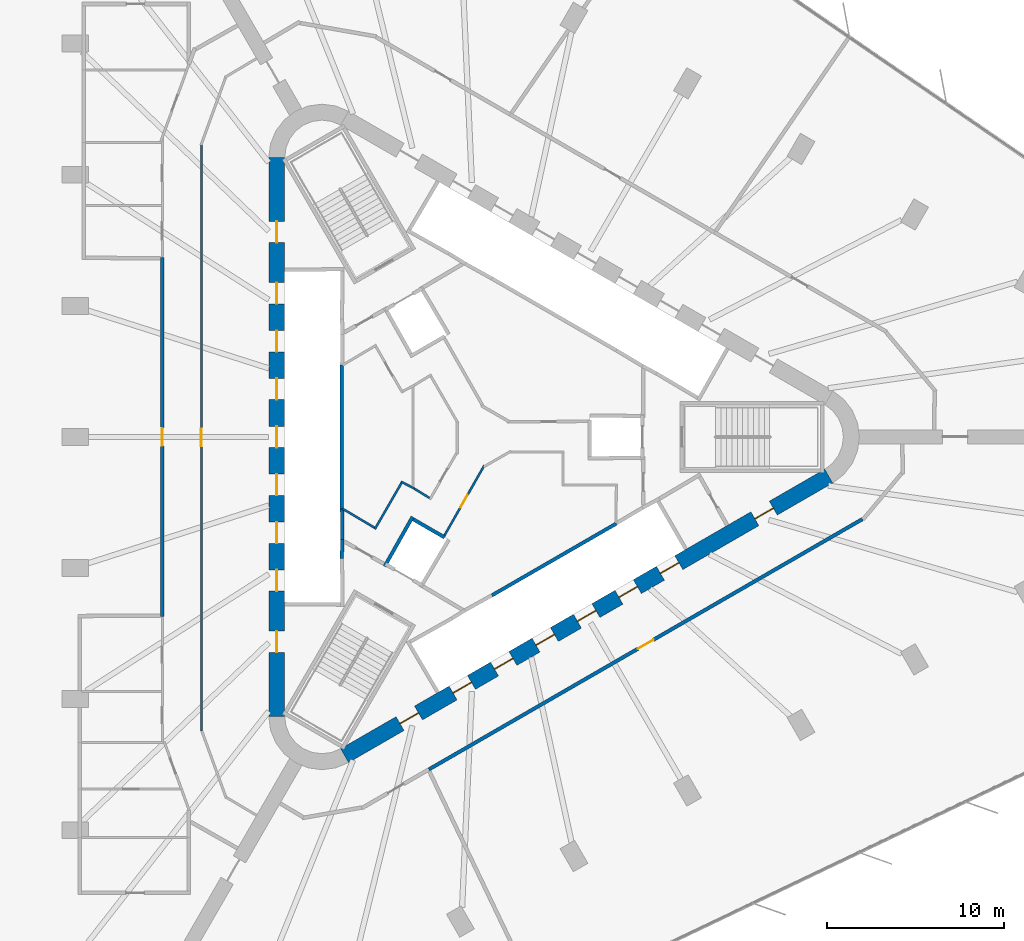
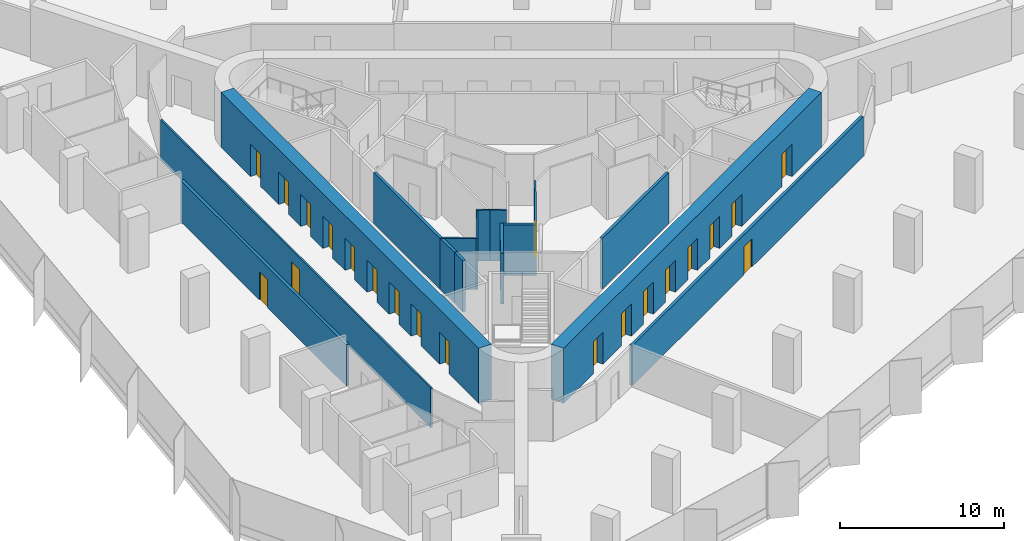
# One storey, part 10 of 15: 21 doors, 16 walls, 21 openings.
"""IFC4 building model written with IfcOpenShell, lengths in metres."""

from ifc_helpers import new_model, si_unit, direction, frame, frame_2d, origin, place, context, subcontext, project, spatial, rectangle, extrude, material, layer, layer_set, type_object, element, fill, save


model = new_model("IFC4")

# Units and contexts
model_context = context("Model", 3, precision=1e-05, world=origin(), true_north=direction((0.0, 1.0)))
body_context = subcontext(model_context, "Body", "Model", "MODEL_VIEW")
ifc_project = project(units=[si_unit("LENGTHUNIT", "METRE"), si_unit("AREAUNIT", "SQUARE_METRE"), si_unit("VOLUMEUNIT", "CUBIC_METRE"), si_unit("PLANEANGLEUNIT", "RADIAN"), si_unit("MASSUNIT", "GRAM", prefix="KILO")], contexts=[model_context])

# Site, building, storey
site_placement = place(None, origin())
site = spatial("IfcSite", under=ifc_project, at=site_placement, CompositionType="ELEMENT")
building_placement = place(site_placement, origin())
building = spatial("IfcBuilding", under=site, at=building_placement, Name="Tanit Gate Tower", CompositionType="ELEMENT")
storey_placement = place(building_placement, frame((0.0, 0.0, 94.699951171875)))
storey = spatial("IfcBuildingStorey", under=building, at=storey_placement, Name="L19", CompositionType="ELEMENT", Elevation=94.699951171875)

# Wall, openings, doors
ifc_material_1 = material(Name="Concrete C60/75", Category="concrete")
ifc_layer_1 = layer(ifc_material_1, 0.89990234375)
ifc_layer_set_1 = layer_set([ifc_layer_1], Name="CORE WALL 900 C60/75")
wall_type_1 = type_object("IfcWallType", Name="CORE WALL 900 C60/75", PredefinedType="SHEAR", material=ifc_layer_set_1)
wall_1_placement = place(storey_placement, frame((-11.64990234375, 15.76171875, 0.0), z_axis=(0.0, 0.0, 1.0), x_axis=(0.0, -1.0, 0.0)))
wall_1 = element("IfcWall", 1, at=wall_1_placement, inside=storey, type_object=wall_type_1, Name="CORE WALL", PredefinedType="SHEAR", context=body_context, shape_type="SweptSolid", body=[
    extrude(rectangle(XDim=31.5234375, YDim=0.89990234375, at=frame_2d((15.76171875, 0.0))), origin(), (0.0, 0.0, 1.0), 4.10009765625),
])
opening_1_placement = place(wall_1_placement, frame((7.061767578125, 0.0, 0.0)))
opening_1 = element("IfcOpeningElement", 2, at=opening_1_placement, cuts=wall_1, Name="Opening LDLL1-S04", PredefinedType="OPENING", context=body_context, shape_type="SweptSolid", body=[
    extrude(rectangle(XDim=1.199951171875, YDim=2.39990234375, at=frame_2d((0.60009765625, 1.199951171875))), frame((0.0, 0.4599609375, 0.0), z_axis=(0.0, -1.0, 0.0), x_axis=(1.0, 0.0, 0.0)), (0.0, 0.0, 1.0), 0.919921875),
])
opening_2_placement = place(wall_1_placement, frame((9.76171875, 0.0, 0.0)))
opening_2 = element("IfcOpeningElement", 3, at=opening_2_placement, cuts=wall_1, Name="Opening LDLL2-S04", PredefinedType="OPENING", context=body_context, shape_type="SweptSolid", body=[
    extrude(rectangle(XDim=1.199951171875, YDim=2.39990234375, at=frame_2d((0.60009765625, 1.199951171875))), frame((0.0, 0.4599609375, 0.0), z_axis=(0.0, -1.0, 0.0), x_axis=(1.0, 0.0, 0.0)), (0.0, 0.0, 1.0), 0.919921875),
])
opening_3_placement = place(wall_1_placement, frame((12.461669921875, 0.0, 0.0)))
opening_3 = element("IfcOpeningElement", 4, at=opening_3_placement, cuts=wall_1, Name="Opening LDLL3-S04", PredefinedType="OPENING", context=body_context, shape_type="SweptSolid", body=[
    extrude(rectangle(XDim=1.199951171875, YDim=2.39990234375, at=frame_2d((0.60009765625, 1.199951171875))), frame((0.0, 0.4599609375, 0.0), z_axis=(0.0, -1.0, 0.0), x_axis=(1.0, 0.0, 0.0)), (0.0, 0.0, 1.0), 0.919921875),
])
opening_4_placement = place(wall_1_placement, frame((15.16162109375, 0.0, 0.0)))
opening_4 = element("IfcOpeningElement", 5, at=opening_4_placement, cuts=wall_1, Name="Opening LDLL4-S04", PredefinedType="OPENING", context=body_context, shape_type="SweptSolid", body=[
    extrude(rectangle(XDim=1.199951171875, YDim=2.39990234375, at=frame_2d((0.60009765625, 1.199951171875))), frame((0.0, 0.4599609375, 0.0), z_axis=(0.0, -1.0, 0.0), x_axis=(1.0, 0.0, 0.0)), (0.0, 0.0, 1.0), 0.919921875),
])
opening_5_placement = place(wall_1_placement, frame((17.86181640625, 0.0, 0.0)))
opening_5 = element("IfcOpeningElement", 6, at=opening_5_placement, cuts=wall_1, Name="Opening LDLL5-S04", PredefinedType="OPENING", context=body_context, shape_type="SweptSolid", body=[
    extrude(rectangle(XDim=1.199951171875, YDim=2.39990234375, at=frame_2d((0.60009765625, 1.199951171875))), frame((0.0, 0.4599609375, 0.0), z_axis=(0.0, -1.0, 0.0), x_axis=(1.0, 0.0, 0.0)), (0.0, 0.0, 1.0), 0.919921875),
])
opening_6_placement = place(wall_1_placement, frame((20.561767578125, 0.0, 0.0)))
opening_6 = element("IfcOpeningElement", 7, at=opening_6_placement, cuts=wall_1, Name="Opening LDLL6-S04", PredefinedType="OPENING", context=body_context, shape_type="SweptSolid", body=[
    extrude(rectangle(XDim=1.199951171875, YDim=2.39990234375, at=frame_2d((0.60009765625, 1.199951171875))), frame((0.0, 0.4599609375, 0.0), z_axis=(0.0, -1.0, 0.0), x_axis=(1.0, 0.0, 0.0)), (0.0, 0.0, 1.0), 0.919921875),
])
opening_7_placement = place(wall_1_placement, frame((23.26171875, 0.0, 0.0)))
opening_7 = element("IfcOpeningElement", 8, at=opening_7_placement, cuts=wall_1, Name="Opening LDLL7-S04", PredefinedType="OPENING", context=body_context, shape_type="SweptSolid", body=[
    extrude(rectangle(XDim=1.199951171875, YDim=2.39990234375, at=frame_2d((0.60009765625, 1.199951171875))), frame((0.0, 0.4599609375, 0.0), z_axis=(0.0, -1.0, 0.0), x_axis=(1.0, 0.0, 0.0)), (0.0, 0.0, 1.0), 0.919921875),
])
opening_8_placement = place(wall_1_placement, frame((3.61181640625, 0.0, 0.0)))
opening_8 = element("IfcOpeningElement", 9, at=opening_8_placement, cuts=wall_1, Name="Opening F12-S04-FL2", PredefinedType="OPENING", context=body_context, shape_type="SweptSolid", body=[
    extrude(rectangle(XDim=1.199951171875, YDim=2.39990234375, at=frame_2d((0.60009765625, 1.199951171875))), frame((0.0, 0.4599609375, 0.0), z_axis=(0.0, -1.0, 0.0), x_axis=(1.0, 0.0, 0.0)), (0.0, 0.0, 1.0), 0.919921875),
])
opening_9_placement = place(wall_1_placement, frame((26.711669921875, 0.0, 0.0)))
opening_9 = element("IfcOpeningElement", 10, at=opening_9_placement, cuts=wall_1, Name="Opening F12-S04-S3", PredefinedType="OPENING", context=body_context, shape_type="SweptSolid", body=[
    extrude(rectangle(XDim=1.199951171875, YDim=2.39990234375, at=frame_2d((0.60009765625, 1.199951171875))), frame((0.0, 0.4599609375, 0.0), z_axis=(0.0, -1.0, 0.0), x_axis=(1.0, 0.0, 0.0)), (0.0, 0.0, 1.0), 0.919921875),
])
ifc_material_2 = material(Name="Fire-rated steel door leaf", Category="steel")
door_type_1 = type_object("IfcDoorType", Name="INT-DOOR-FIRE-LOBBY-1200", OperationType="NOTDEFINED", PredefinedType="USERDEFINED", material=ifc_material_2)
door_1_placement = place(opening_8_placement, origin())
door_1 = element("IfcDoor", 11, at=door_1_placement, inside=storey, type_object=door_type_1, Name="Door F12-S04-FL2", ObjectType="FIRE DOOR", OperationType="SINGLE_SWING_LEFT", OverallHeight=2.39990234375, OverallWidth=1.199951171875, PredefinedType="USERDEFINED", context=body_context, shape_type="SweptSolid", body=[
    extrude(rectangle(XDim=1.199951171875, YDim=2.39990234375, at=frame_2d((0.60009765625, 1.199951171875))), frame((0.0, 0.02490234375, 0.0), z_axis=(0.0, -1.0, 0.0), x_axis=(1.0, 0.0, 0.0)), (0.0, 0.0, 1.0), 0.050048828125),
])
fill(opening_8, door_1)
door_2_placement = place(opening_9_placement, origin())
door_2 = element("IfcDoor", 12, at=door_2_placement, inside=storey, type_object=door_type_1, Name="Door F12-S04-S3", ObjectType="FIRE DOOR", OperationType="SINGLE_SWING_RIGHT", OverallHeight=2.39990234375, OverallWidth=1.199951171875, PredefinedType="USERDEFINED", context=body_context, shape_type="SweptSolid", body=[
    extrude(rectangle(XDim=1.199951171875, YDim=2.39990234375, at=frame_2d((0.60009765625, 1.199951171875))), frame((0.0, 0.02490234375, 0.0), z_axis=(0.0, -1.0, 0.0), x_axis=(1.0, 0.0, 0.0)), (0.0, 0.0, 1.0), 0.050048828125),
])
fill(opening_9, door_2)
ifc_material_3 = material(Name="Stainless steel sliding door leaf", Category="steel")
door_type_2 = type_object("IfcDoorType", Name="INT-DOOR-LANDING-1200", OperationType="NOTDEFINED", PredefinedType="USERDEFINED", material=ifc_material_3)
door_3_placement = place(opening_1_placement, origin())
door_3 = element("IfcDoor", 13, at=door_3_placement, inside=storey, type_object=door_type_2, Name="Door LDLL1-S04", ObjectType="LANDING DOOR", OperationType="SLIDING_TO_LEFT", OverallHeight=2.39990234375, OverallWidth=1.199951171875, PredefinedType="USERDEFINED", context=body_context, shape_type="SweptSolid", body=[
    extrude(rectangle(XDim=1.199951171875, YDim=2.39990234375, at=frame_2d((0.60009765625, 1.199951171875))), frame((0.0, 0.02490234375, 0.0), z_axis=(0.0, -1.0, 0.0), x_axis=(1.0, 0.0, 0.0)), (0.0, 0.0, 1.0), 0.050048828125),
])
fill(opening_1, door_3)
door_4_placement = place(opening_2_placement, origin())
door_4 = element("IfcDoor", 14, at=door_4_placement, inside=storey, type_object=door_type_2, Name="Door LDLL2-S04", ObjectType="LANDING DOOR", OperationType="SLIDING_TO_LEFT", OverallHeight=2.39990234375, OverallWidth=1.199951171875, PredefinedType="USERDEFINED", context=body_context, shape_type="SweptSolid", body=[
    extrude(rectangle(XDim=1.199951171875, YDim=2.39990234375, at=frame_2d((0.60009765625, 1.199951171875))), frame((0.0, 0.02490234375, 0.0), z_axis=(0.0, -1.0, 0.0), x_axis=(1.0, 0.0, 0.0)), (0.0, 0.0, 1.0), 0.050048828125),
])
fill(opening_2, door_4)
door_5_placement = place(opening_3_placement, origin())
door_5 = element("IfcDoor", 15, at=door_5_placement, inside=storey, type_object=door_type_2, Name="Door LDLL3-S04", ObjectType="LANDING DOOR", OperationType="SLIDING_TO_LEFT", OverallHeight=2.39990234375, OverallWidth=1.199951171875, PredefinedType="USERDEFINED", context=body_context, shape_type="SweptSolid", body=[
    extrude(rectangle(XDim=1.199951171875, YDim=2.39990234375, at=frame_2d((0.60009765625, 1.199951171875))), frame((0.0, 0.02490234375, 0.0), z_axis=(0.0, -1.0, 0.0), x_axis=(1.0, 0.0, 0.0)), (0.0, 0.0, 1.0), 0.050048828125),
])
fill(opening_3, door_5)
door_6_placement = place(opening_4_placement, origin())
door_6 = element("IfcDoor", 16, at=door_6_placement, inside=storey, type_object=door_type_2, Name="Door LDLL4-S04", ObjectType="LANDING DOOR", OperationType="SLIDING_TO_LEFT", OverallHeight=2.39990234375, OverallWidth=1.199951171875, PredefinedType="USERDEFINED", context=body_context, shape_type="SweptSolid", body=[
    extrude(rectangle(XDim=1.199951171875, YDim=2.39990234375, at=frame_2d((0.60009765625, 1.199951171875))), frame((0.0, 0.02490234375, 0.0), z_axis=(0.0, -1.0, 0.0), x_axis=(1.0, 0.0, 0.0)), (0.0, 0.0, 1.0), 0.050048828125),
])
fill(opening_4, door_6)
door_7_placement = place(opening_5_placement, origin())
door_7 = element("IfcDoor", 17, at=door_7_placement, inside=storey, type_object=door_type_2, Name="Door LDLL5-S04", ObjectType="LANDING DOOR", OperationType="SLIDING_TO_LEFT", OverallHeight=2.39990234375, OverallWidth=1.199951171875, PredefinedType="USERDEFINED", context=body_context, shape_type="SweptSolid", body=[
    extrude(rectangle(XDim=1.199951171875, YDim=2.39990234375, at=frame_2d((0.60009765625, 1.199951171875))), frame((0.0, 0.02490234375, 0.0), z_axis=(0.0, -1.0, 0.0), x_axis=(1.0, 0.0, 0.0)), (0.0, 0.0, 1.0), 0.050048828125),
])
fill(opening_5, door_7)
door_8_placement = place(opening_6_placement, origin())
door_8 = element("IfcDoor", 18, at=door_8_placement, inside=storey, type_object=door_type_2, Name="Door LDLL6-S04", ObjectType="LANDING DOOR", OperationType="SLIDING_TO_LEFT", OverallHeight=2.39990234375, OverallWidth=1.199951171875, PredefinedType="USERDEFINED", context=body_context, shape_type="SweptSolid", body=[
    extrude(rectangle(XDim=1.199951171875, YDim=2.39990234375, at=frame_2d((0.60009765625, 1.199951171875))), frame((0.0, 0.02490234375, 0.0), z_axis=(0.0, -1.0, 0.0), x_axis=(1.0, 0.0, 0.0)), (0.0, 0.0, 1.0), 0.050048828125),
])
fill(opening_6, door_8)
door_9_placement = place(opening_7_placement, origin())
door_9 = element("IfcDoor", 19, at=door_9_placement, inside=storey, type_object=door_type_2, Name="Door LDLL7-S04", ObjectType="LANDING DOOR", OperationType="SLIDING_TO_LEFT", OverallHeight=2.39990234375, OverallWidth=1.199951171875, PredefinedType="USERDEFINED", context=body_context, shape_type="SweptSolid", body=[
    extrude(rectangle(XDim=1.199951171875, YDim=2.39990234375, at=frame_2d((0.60009765625, 1.199951171875))), frame((0.0, 0.02490234375, 0.0), z_axis=(0.0, -1.0, 0.0), x_axis=(1.0, 0.0, 0.0)), (0.0, 0.0, 1.0), 0.050048828125),
])
fill(opening_7, door_9)

wall_2_placement = place(storey_placement, frame((-7.824951171875, -17.969970703125, 0.0), z_axis=(0.0, 0.0, 1.0), x_axis=(0.866028369851, 0.499994862586, 0.0)))
wall_2 = element("IfcWall", 20, at=wall_2_placement, inside=storey, type_object=wall_type_1, Name="CORE WALL", PredefinedType="SHEAR", context=body_context, shape_type="SweptSolid", body=[
    extrude(rectangle(XDim=31.523193359375, YDim=0.89990234375, at=frame_2d((15.76171875, 0.0))), origin(), (0.0, 0.0, 1.0), 4.10009765625),
])
opening_10_placement = place(wall_2_placement, frame((7.061767578125, 0.0, 0.0)))
opening_10 = element("IfcOpeningElement", 21, at=opening_10_placement, cuts=wall_2, Name="Opening LDSX1-S04", PredefinedType="OPENING", context=body_context, shape_type="SweptSolid", body=[
    extrude(rectangle(XDim=1.199951171875, YDim=2.39990234375, at=frame_2d((0.60009765625, 1.199951171875))), frame((0.0, 0.4599609375, 0.0), z_axis=(0.0, -1.0, 0.0), x_axis=(1.0, 0.0, 0.0)), (0.0, 0.0, 1.0), 0.919921875),
])
opening_11_placement = place(wall_2_placement, frame((9.76171875, 0.0, 0.0)))
opening_11 = element("IfcOpeningElement", 22, at=opening_11_placement, cuts=wall_2, Name="Opening LDSX2-S04", PredefinedType="OPENING", context=body_context, shape_type="SweptSolid", body=[
    extrude(rectangle(XDim=1.199951171875, YDim=2.39990234375, at=frame_2d((0.60009765625, 1.199951171875))), frame((0.0, 0.4599609375, 0.0), z_axis=(0.0, -1.0, 0.0), x_axis=(1.0, 0.0, 0.0)), (0.0, 0.0, 1.0), 0.919921875),
])
opening_12_placement = place(wall_2_placement, frame((12.461669921875, 0.0, 0.0)))
opening_12 = element("IfcOpeningElement", 23, at=opening_12_placement, cuts=wall_2, Name="Opening LDSX3-S04", PredefinedType="OPENING", context=body_context, shape_type="SweptSolid", body=[
    extrude(rectangle(XDim=1.199951171875, YDim=2.39990234375, at=frame_2d((0.60009765625, 1.199951171875))), frame((0.0, 0.4599609375, 0.0), z_axis=(0.0, -1.0, 0.0), x_axis=(1.0, 0.0, 0.0)), (0.0, 0.0, 1.0), 0.919921875),
])
opening_13_placement = place(wall_2_placement, frame((15.16162109375, 0.0, 0.0)))
opening_13 = element("IfcOpeningElement", 24, at=opening_13_placement, cuts=wall_2, Name="Opening LDSX4-S04", PredefinedType="OPENING", context=body_context, shape_type="SweptSolid", body=[
    extrude(rectangle(XDim=1.199951171875, YDim=2.39990234375, at=frame_2d((0.60009765625, 1.199951171875))), frame((0.0, 0.4599609375, 0.0), z_axis=(0.0, -1.0, 0.0), x_axis=(1.0, 0.0, 0.0)), (0.0, 0.0, 1.0), 0.919921875),
])
opening_14_placement = place(wall_2_placement, frame((17.861572265625, 0.0, 0.0)))
opening_14 = element("IfcOpeningElement", 25, at=opening_14_placement, cuts=wall_2, Name="Opening LDSV1-S04", PredefinedType="OPENING", context=body_context, shape_type="SweptSolid", body=[
    extrude(rectangle(XDim=1.199951171875, YDim=2.39990234375, at=frame_2d((0.60009765625, 1.199951171875))), frame((0.0, 0.4599609375, 0.0), z_axis=(0.0, -1.0, 0.0), x_axis=(1.0, 0.0, 0.0)), (0.0, 0.0, 1.0), 0.919921875),
])
opening_15_placement = place(wall_2_placement, frame((20.561767578125, 0.0, 0.0)))
opening_15 = element("IfcOpeningElement", 26, at=opening_15_placement, cuts=wall_2, Name="Opening LDSV2-S04", PredefinedType="OPENING", context=body_context, shape_type="SweptSolid", body=[
    extrude(rectangle(XDim=1.199951171875, YDim=2.39990234375, at=frame_2d((0.60009765625, 1.199951171875))), frame((0.0, 0.4599609375, 0.0), z_axis=(0.0, -1.0, 0.0), x_axis=(1.0, 0.0, 0.0)), (0.0, 0.0, 1.0), 0.919921875),
])
opening_16_placement = place(wall_2_placement, frame((26.711669921875, 0.0, 0.0)))
opening_16 = element("IfcOpeningElement", 27, at=opening_16_placement, cuts=wall_2, Name="Opening F12-S04-S1", PredefinedType="OPENING", context=body_context, shape_type="SweptSolid", body=[
    extrude(rectangle(XDim=1.199951171875, YDim=2.39990234375, at=frame_2d((0.60009765625, 1.199951171875))), frame((0.0, 0.4599609375, 0.0), z_axis=(0.0, -1.0, 0.0), x_axis=(1.0, 0.0, 0.0)), (0.0, 0.0, 1.0), 0.919921875),
])
opening_17_placement = place(wall_2_placement, frame((3.611572265625, 0.0, 0.0)))
opening_17 = element("IfcOpeningElement", 28, at=opening_17_placement, cuts=wall_2, Name="Opening F12-S04-FL3", PredefinedType="OPENING", context=body_context, shape_type="SweptSolid", body=[
    extrude(rectangle(XDim=1.199951171875, YDim=2.39990234375, at=frame_2d((0.60009765625, 1.199951171875))), frame((0.0, 0.4599609375, 0.0), z_axis=(0.0, -1.0, 0.0), x_axis=(1.0, 0.0, 0.0)), (0.0, 0.0, 1.0), 0.919921875),
])
door_10_placement = place(opening_16_placement, origin())
door_10 = element("IfcDoor", 29, at=door_10_placement, inside=storey, type_object=door_type_1, Name="Door F12-S04-S1", ObjectType="FIRE DOOR", OperationType="SINGLE_SWING_LEFT", OverallHeight=2.39990234375, OverallWidth=1.199951171875, PredefinedType="USERDEFINED", context=body_context, shape_type="SweptSolid", body=[
    extrude(rectangle(XDim=1.199951171875, YDim=2.39990234375, at=frame_2d((0.60009765625, 1.199951171875))), frame((0.0, 0.02490234375, 0.0), z_axis=(0.0, -1.0, 0.0), x_axis=(1.0, 0.0, 0.0)), (0.0, 0.0, 1.0), 0.050048828125),
])
fill(opening_16, door_10)
door_11_placement = place(opening_17_placement, origin())
door_11 = element("IfcDoor", 30, at=door_11_placement, inside=storey, type_object=door_type_1, Name="Door F12-S04-FL3", ObjectType="FIRE DOOR", OperationType="SINGLE_SWING_LEFT", OverallHeight=2.39990234375, OverallWidth=1.199951171875, PredefinedType="USERDEFINED", context=body_context, shape_type="SweptSolid", body=[
    extrude(rectangle(XDim=1.199951171875, YDim=2.39990234375, at=frame_2d((0.60009765625, 1.199951171875))), frame((0.0, 0.02490234375, 0.0), z_axis=(0.0, -1.0, 0.0), x_axis=(1.0, 0.0, 0.0)), (0.0, 0.0, 1.0), 0.050048828125),
])
fill(opening_17, door_11)
door_12_placement = place(opening_10_placement, origin())
door_12 = element("IfcDoor", 31, at=door_12_placement, inside=storey, type_object=door_type_2, Name="Door LDSX1-S04", ObjectType="LANDING DOOR", OperationType="SLIDING_TO_LEFT", OverallHeight=2.39990234375, OverallWidth=1.199951171875, PredefinedType="USERDEFINED", context=body_context, shape_type="SweptSolid", body=[
    extrude(rectangle(XDim=1.199951171875, YDim=2.39990234375, at=frame_2d((0.60009765625, 1.199951171875))), frame((0.0, 0.02490234375, 0.0), z_axis=(0.0, -1.0, 0.0), x_axis=(1.0, 0.0, 0.0)), (0.0, 0.0, 1.0), 0.050048828125),
])
fill(opening_10, door_12)
door_13_placement = place(opening_11_placement, origin())
door_13 = element("IfcDoor", 32, at=door_13_placement, inside=storey, type_object=door_type_2, Name="Door LDSX2-S04", ObjectType="LANDING DOOR", OperationType="SLIDING_TO_LEFT", OverallHeight=2.39990234375, OverallWidth=1.199951171875, PredefinedType="USERDEFINED", context=body_context, shape_type="SweptSolid", body=[
    extrude(rectangle(XDim=1.199951171875, YDim=2.39990234375, at=frame_2d((0.60009765625, 1.199951171875))), frame((0.0, 0.02490234375, 0.0), z_axis=(0.0, -1.0, 0.0), x_axis=(1.0, 0.0, 0.0)), (0.0, 0.0, 1.0), 0.050048828125),
])
fill(opening_11, door_13)
door_14_placement = place(opening_12_placement, origin())
door_14 = element("IfcDoor", 33, at=door_14_placement, inside=storey, type_object=door_type_2, Name="Door LDSX3-S04", ObjectType="LANDING DOOR", OperationType="SLIDING_TO_LEFT", OverallHeight=2.39990234375, OverallWidth=1.199951171875, PredefinedType="USERDEFINED", context=body_context, shape_type="SweptSolid", body=[
    extrude(rectangle(XDim=1.199951171875, YDim=2.39990234375, at=frame_2d((0.60009765625, 1.199951171875))), frame((0.0, 0.02490234375, 0.0), z_axis=(0.0, -1.0, 0.0), x_axis=(1.0, 0.0, 0.0)), (0.0, 0.0, 1.0), 0.050048828125),
])
fill(opening_12, door_14)
door_15_placement = place(opening_13_placement, origin())
door_15 = element("IfcDoor", 34, at=door_15_placement, inside=storey, type_object=door_type_2, Name="Door LDSX4-S04", ObjectType="LANDING DOOR", OperationType="SLIDING_TO_LEFT", OverallHeight=2.39990234375, OverallWidth=1.199951171875, PredefinedType="USERDEFINED", context=body_context, shape_type="SweptSolid", body=[
    extrude(rectangle(XDim=1.199951171875, YDim=2.39990234375, at=frame_2d((0.60009765625, 1.199951171875))), frame((0.0, 0.02490234375, 0.0), z_axis=(0.0, -1.0, 0.0), x_axis=(1.0, 0.0, 0.0)), (0.0, 0.0, 1.0), 0.050048828125),
])
fill(opening_13, door_15)
door_16_placement = place(opening_14_placement, origin())
door_16 = element("IfcDoor", 35, at=door_16_placement, inside=storey, type_object=door_type_2, Name="Door LDSV1-S04", ObjectType="LANDING DOOR", OperationType="SLIDING_TO_LEFT", OverallHeight=2.39990234375, OverallWidth=1.199951171875, PredefinedType="USERDEFINED", context=body_context, shape_type="SweptSolid", body=[
    extrude(rectangle(XDim=1.199951171875, YDim=2.39990234375, at=frame_2d((0.60009765625, 1.199951171875))), frame((0.0, 0.02490234375, 0.0), z_axis=(0.0, -1.0, 0.0), x_axis=(1.0, 0.0, 0.0)), (0.0, 0.0, 1.0), 0.050048828125),
])
fill(opening_14, door_16)
door_17_placement = place(opening_15_placement, origin())
door_17 = element("IfcDoor", 36, at=door_17_placement, inside=storey, type_object=door_type_2, Name="Door LDSV2-S04", ObjectType="LANDING DOOR", OperationType="SLIDING_TO_LEFT", OverallHeight=2.39990234375, OverallWidth=1.199951171875, PredefinedType="USERDEFINED", context=body_context, shape_type="SweptSolid", body=[
    extrude(rectangle(XDim=1.199951171875, YDim=2.39990234375, at=frame_2d((0.60009765625, 1.199951171875))), frame((0.0, 0.02490234375, 0.0), z_axis=(0.0, -1.0, 0.0), x_axis=(1.0, 0.0, 0.0)), (0.0, 0.0, 1.0), 0.050048828125),
])
fill(opening_15, door_17)

# Wall, opening, door
ifc_material_4 = material(Name="Fire-rated gypsum board partition")
ifc_layer_2 = layer(ifc_material_4, 0.199951171875)
ifc_layer_set_2 = layer_set([ifc_layer_2], Name="INT-WALL-COMPARTMENT")
wall_type_2 = type_object("IfcWallType", Name="INT-WALL-COMPARTMENT", PredefinedType="PARTITIONING", material=ifc_layer_set_2)
wall_3_placement = place(storey_placement, frame((-18.10009765625, 10.1298828125, 0.0), z_axis=(0.0, 0.0, 1.0), x_axis=(0.0, -1.0, 0.0)))
wall_3 = element("IfcWall", 37, at=wall_3_placement, inside=storey, type_object=wall_type_2, Name="Wall Compartment W091", PredefinedType="PARTITIONING", context=body_context, shape_type="SweptSolid", body=[
    extrude(rectangle(XDim=20.259765625, YDim=0.199951171875, at=frame_2d((10.1298828125, 0.0))), origin(), (0.0, 0.0, 1.0), 3.080078125),
])
opening_18_placement = place(wall_3_placement, frame((9.6298828125, 0.0, 0.0)))
opening_18 = element("IfcOpeningElement", 38, at=opening_18_placement, cuts=wall_3, Name="Opening F10-S04-25", PredefinedType="OPENING", context=body_context, shape_type="SweptSolid", body=[
    extrude(rectangle(XDim=1.0, YDim=2.10009765625, at=frame_2d((0.5, 1.050048828125))), frame((0.0, 0.10986328125, 0.0), z_axis=(0.0, -1.0, 0.0), x_axis=(1.0, 0.0, 0.0)), (0.0, 0.0, 1.0), 0.219970703125),
])
ifc_material_5 = material(Name="Fire-rated steel door leaf", Category="steel")
door_type_3 = type_object("IfcDoorType", Name="INT-DOOR-FIRE-1000", OperationType="NOTDEFINED", PredefinedType="USERDEFINED", material=ifc_material_5)
door_18_placement = place(opening_18_placement, origin())
door_18 = element("IfcDoor", 39, at=door_18_placement, inside=storey, type_object=door_type_3, Name="Door F10-S04-25", ObjectType="FIRE DOOR", OperationType="SINGLE_SWING_LEFT", OverallHeight=2.10009765625, OverallWidth=1.0, PredefinedType="USERDEFINED", context=body_context, shape_type="SweptSolid", body=[
    extrude(rectangle(XDim=1.0, YDim=2.10009765625, at=frame_2d((0.5, 1.050048828125))), frame((0.0, 0.02490234375, 0.0), z_axis=(0.0, -1.0, 0.0), x_axis=(1.0, 0.0, 0.0)), (0.0, 0.0, 1.0), 0.050048828125),
])
fill(opening_18, door_18)

wall_4_placement = place(storey_placement, frame((-3.071533203125, -18.747314453125, 0.0), z_axis=(0.0, 0.0, 1.0), x_axis=(0.866027760718, 0.499995917648, 0.0)))
wall_4 = element("IfcWall", 40, at=wall_4_placement, inside=storey, type_object=wall_type_2, Name="Wall Compartment W112", PredefinedType="PARTITIONING", context=body_context, shape_type="SweptSolid", body=[
    extrude(rectangle(XDim=28.233154296875, YDim=0.199951171875, at=frame_2d((14.11669921875, 0.0))), origin(), (0.0, 0.0, 1.0), 2.97998046875),
])
opening_19_placement = place(wall_4_placement, frame((13.61669921875, 0.0, 0.0)))
opening_19 = element("IfcOpeningElement", 41, at=opening_19_placement, cuts=wall_4, Name="Opening F10-S04-29", PredefinedType="OPENING", context=body_context, shape_type="SweptSolid", body=[
    extrude(rectangle(XDim=1.0, YDim=2.10009765625, at=frame_2d((0.5, 1.050048828125))), frame((0.0, 0.10986328125, 0.0), z_axis=(0.0, -1.0, 0.0), x_axis=(1.0, 0.0, 0.0)), (0.0, 0.0, 1.0), 0.219970703125),
])
door_19_placement = place(opening_19_placement, origin())
door_19 = element("IfcDoor", 42, at=door_19_placement, inside=storey, type_object=door_type_3, Name="Door F10-S04-29", ObjectType="FIRE DOOR", OperationType="SINGLE_SWING_RIGHT", OverallHeight=2.10009765625, OverallWidth=1.0, PredefinedType="USERDEFINED", context=body_context, shape_type="SweptSolid", body=[
    extrude(rectangle(XDim=1.0, YDim=2.10009765625, at=frame_2d((0.5, 1.050048828125))), frame((0.0, 0.02490234375, 0.0), z_axis=(0.0, -1.0, 0.0), x_axis=(1.0, 0.0, 0.0)), (0.0, 0.0, 1.0), 0.050048828125),
])
fill(opening_19, door_19)

ifc_material_6 = material(Name="Gypsum board partition")
ifc_layer_3 = layer(ifc_material_6, 0.1201171875)
ifc_layer_set_3 = layer_set([ifc_layer_3], Name="INT-WALL-PARTITION")
wall_type_3 = type_object("IfcWallType", Name="INT-WALL-PARTITION", PredefinedType="PARTITIONING", material=ifc_layer_set_3)
wall_5_placement = place(storey_placement, frame((0.050537109375, -1.611083984375, 0.0), z_axis=(0.0, 0.0, 1.0), x_axis=(-0.49434454467, -0.869266053148, 0.0)))
wall_5 = element("IfcWall", 43, at=wall_5_placement, inside=storey, type_object=wall_type_3, Name="Wall Partition W068", PredefinedType="PARTITIONING", context=body_context, shape_type="SweptSolid", body=[
    extrude(rectangle(XDim=4.5302734375, YDim=0.1201171875, at=frame_2d((2.26513671875, 0.0))), origin(), (0.0, 0.0, 1.0), 3.800048828125),
])
opening_20_placement = place(wall_5_placement, frame((1.916259765625, 0.0, 0.0)))
opening_20 = element("IfcOpeningElement", 44, at=opening_20_placement, cuts=wall_5, Name="Opening R08-S04-11", PredefinedType="OPENING", context=body_context, shape_type="SweptSolid", body=[
    extrude(rectangle(XDim=0.800048828125, YDim=2.10009765625, at=frame_2d((0.39990234375, 1.050048828125))), frame((0.0, 0.070068359375, 0.0), z_axis=(0.0, -1.0, 0.0), x_axis=(1.0, 0.0, 0.0)), (0.0, 0.0, 1.0), 0.14013671875),
])
ifc_material_7 = material(Name="Timber door leaf", Category="wood")
door_type_4 = type_object("IfcDoorType", Name="INT-DOOR-RISER-800", OperationType="NOTDEFINED", PredefinedType="USERDEFINED", material=ifc_material_7)
door_20_placement = place(opening_20_placement, origin())
door_20 = element("IfcDoor", 45, at=door_20_placement, inside=storey, type_object=door_type_4, Name="Door R08-S04-11", ObjectType="FIRE DOOR", OperationType="SINGLE_SWING_RIGHT", OverallHeight=2.10009765625, OverallWidth=0.800048828125, PredefinedType="USERDEFINED", context=body_context, shape_type="SweptSolid", body=[
    extrude(rectangle(XDim=0.800048828125, YDim=2.10009765625, at=frame_2d((0.39990234375, 1.050048828125))), frame((0.0, 0.02490234375, 0.0), z_axis=(0.0, -1.0, 0.0), x_axis=(1.0, 0.0, 0.0)), (0.0, 0.0, 1.0), 0.050048828125),
])
fill(opening_20, door_20)

# Walls
wall_6_placement = place(storey_placement, frame((-4.641357421875, -2.519287109375, 0.0), z_axis=(0.0, 0.0, 1.0), x_axis=(0.885386208329, -0.464856173564, 0.0)))
element("IfcWall", 46, at=wall_6_placement, inside=storey, type_object=wall_type_3, Name="Wall Partition W075", PredefinedType="PARTITIONING", context=body_context, shape_type="SweptSolid", body=[
    extrude(rectangle(XDim=0.859130859375, YDim=0.1201171875, at=frame_2d((0.4296875, 0.0))), origin(), (0.0, 0.0, 1.0), 3.800048828125),
])
wall_7_placement = place(storey_placement, frame((-6.1181640625, -5.197265625, 0.0), z_axis=(0.0, 0.0, 1.0), x_axis=(0.499990139034, 0.866031096941, 0.0)))
element("IfcWall", 47, at=wall_7_placement, inside=storey, type_object=wall_type_3, Name="Wall Partition W076", PredefinedType="PARTITIONING", context=body_context, shape_type="SweptSolid", body=[
    extrude(rectangle(XDim=3.0, YDim=0.1201171875, at=frame_2d((1.5, 0.0))), origin(), (0.0, 0.0, 1.0), 3.800048828125),
])
wall_8_placement = place(storey_placement, frame((-7.949951171875, -4.041015625, 0.0), z_axis=(0.0, 0.0, 1.0), x_axis=(0.860112457103, -0.510104461004, 0.0)))
element("IfcWall", 48, at=wall_8_placement, inside=storey, type_object=wall_type_3, Name="Wall Partition W077", PredefinedType="PARTITIONING", context=body_context, shape_type="SweptSolid", body=[
    extrude(rectangle(XDim=2.1044921875, YDim=0.1201171875, at=frame_2d((1.05224609375, 0.0))), origin(), (0.0, 0.0, 1.0), 3.800048828125),
])
wall_9_placement = place(storey_placement, frame((-3.882568359375, -2.92236328125, 0.0), z_axis=(0.0, 0.0, 1.0), x_axis=(0.852477364208, -0.522764137554, 0.0)))
element("IfcWall", 49, at=wall_9_placement, inside=storey, type_object=wall_type_3, Name="Wall Partition W085", PredefinedType="PARTITIONING", context=body_context, shape_type="SweptSolid", body=[
    extrude(rectangle(XDim=0.991455078125, YDim=0.1201171875, at=frame_2d((0.49560546875, 0.0))), origin(), (0.0, 0.0, 1.0), 3.800048828125),
])

# Wall, opening, door
wall_10_placement = place(storey_placement, frame((-15.89990234375, 16.451171875, 0.0), z_axis=(0.0, 0.0, 1.0), x_axis=(0.0, -1.0, 0.0)))
wall_10 = element("IfcWall", 50, at=wall_10_placement, inside=storey, type_object=wall_type_3, Name="Wall Partition W088", PredefinedType="PARTITIONING", context=body_context, shape_type="SweptSolid", body=[
    extrude(rectangle(XDim=33.022216796875, YDim=0.1201171875, at=frame_2d((16.51123046875, 0.0))), origin(), (0.0, 0.0, 1.0), 2.97998046875),
])
opening_21_placement = place(wall_10_placement, frame((15.981201171875, 0.0, 0.0)))
opening_21 = element("IfcOpeningElement", 51, at=opening_21_placement, cuts=wall_10, Name="Opening D10-S04-15", PredefinedType="OPENING", context=body_context, shape_type="SweptSolid", body=[
    extrude(rectangle(XDim=1.0, YDim=2.10009765625, at=frame_2d((0.5, 1.050048828125))), frame((0.0, 0.070068359375, 0.0), z_axis=(0.0, -1.0, 0.0), x_axis=(1.0, 0.0, 0.0)), (0.0, 0.0, 1.0), 0.14013671875),
])
ifc_material_8 = material(Name="Timber door leaf", Category="wood")
door_type_5 = type_object("IfcDoorType", Name="INT-DOOR-SINGLE-1000", OperationType="NOTDEFINED", PredefinedType="NOTDEFINED", material=ifc_material_8)
door_21_placement = place(opening_21_placement, origin())
door_21 = element("IfcDoor", 52, at=door_21_placement, inside=storey, type_object=door_type_5, Name="Door D10-S04-15", OperationType="SINGLE_SWING_RIGHT", OverallHeight=2.10009765625, OverallWidth=1.0, PredefinedType="NOTDEFINED", context=body_context, shape_type="SweptSolid", body=[
    extrude(rectangle(XDim=1.0, YDim=2.10009765625, at=frame_2d((0.5, 1.050048828125))), frame((0.0, 0.02490234375, 0.0), z_axis=(0.0, -1.0, 0.0), x_axis=(1.0, 0.0, 0.0)), (0.0, 0.0, 1.0), 0.050048828125),
])
fill(opening_21, door_21)

# Walls
ifc_material_9 = material(Name="Gypsum shaft wall system")
ifc_layer_4 = layer(ifc_material_9, 0.199951171875)
ifc_layer_set_4 = layer_set([ifc_layer_4], Name="INT-WALL-SHAFT")
wall_type_4 = type_object("IfcWallType", Name="INT-WALL-SHAFT", PredefinedType="PLUMBINGWALL", material=ifc_layer_set_4)
wall_11_placement = place(storey_placement, frame((-7.97998046875, 4.050048828125, 0.0), z_axis=(0.0, 0.0, 1.0), x_axis=(0.0, -1.0, 0.0)))
element("IfcWall", 53, at=wall_11_placement, inside=storey, type_object=wall_type_4, Name="Wall Shaft W006", PredefinedType="PLUMBINGWALL", context=body_context, shape_type="SweptSolid", body=[
    extrude(rectangle(XDim=8.10009765625, YDim=0.199951171875, at=frame_2d((4.050048828125, 0.0))), origin(), (0.0, 0.0, 1.0), 3.800048828125),
])
wall_12_placement = place(storey_placement, frame((-7.949951171875, -5.7724609375, 0.0), z_axis=(0.0, 0.0, 1.0), x_axis=(-0.030803413295, -0.999525462272, 0.0)))
element("IfcWall", 54, at=wall_12_placement, inside=storey, type_object=wall_type_4, Name="Wall Shaft W009", PredefinedType="PLUMBINGWALL", context=body_context, shape_type="SweptSolid", body=[
    extrude(rectangle(XDim=1.077880859375, YDim=0.199951171875, at=frame_2d((0.5390625, 0.0))), origin(), (0.0, 0.0, 1.0), 3.800048828125),
])
wall_13_placement = place(storey_placement, frame((-7.971435546875, -4.050048828125, 0.0), z_axis=(0.0, 0.0, 1.0), x_axis=(0.012042535896, -0.999927486035, 0.0)))
element("IfcWall", 55, at=wall_13_placement, inside=storey, type_object=wall_type_4, Name="Wall Shaft W010", PredefinedType="PLUMBINGWALL", context=body_context, shape_type="SweptSolid", body=[
    extrude(rectangle(XDim=1.844970703125, YDim=0.199951171875, at=frame_2d((0.92236328125, 0.0))), origin(), (0.0, 0.0, 1.0), 3.800048828125),
])
wall_14_placement = place(storey_placement, frame((0.482666015625, -8.935791015625, 0.0), z_axis=(0.0, 0.0, 1.0), x_axis=(0.866030989016, 0.499990325971, 0.0)))
element("IfcWall", 56, at=wall_14_placement, inside=storey, type_object=wall_type_4, Name="Wall Shaft W031", PredefinedType="PLUMBINGWALL", context=body_context, shape_type="SweptSolid", body=[
    extrude(rectangle(XDim=8.099853515625, YDim=0.199951171875, at=frame_2d((4.0498046875, 0.0))), origin(), (0.0, 0.0, 1.0), 3.800048828125),
])
wall_15_placement = place(storey_placement, frame((-3.989990234375, -4.509033203125, 0.0), z_axis=(0.0, 0.0, 1.0), x_axis=(-0.491358283181, -0.870957540612, 0.0)))
element("IfcWall", 57, at=wall_15_placement, inside=storey, type_object=wall_type_4, Name="Wall Shaft W055", PredefinedType="PLUMBINGWALL", context=body_context, shape_type="SweptSolid", body=[
    extrude(rectangle(XDim=3.200439453125, YDim=0.199951171875, at=frame_2d((1.60009765625, 0.0))), origin(), (0.0, 0.0, 1.0), 3.800048828125),
])
wall_16_placement = place(storey_placement, frame((-3.95263671875, -4.646240234375, 0.0), z_axis=(0.0, 0.0, 1.0), x_axis=(0.866032100247, -0.499988401207, 0.0)))
element("IfcWall", 58, at=wall_16_placement, inside=storey, type_object=wall_type_4, Name="Wall Shaft W056", PredefinedType="PLUMBINGWALL", context=body_context, shape_type="SweptSolid", body=[
    extrude(rectangle(XDim=2.03955078125, YDim=0.199951171875, at=frame_2d((1.019775390625, 0.0))), origin(), (0.0, 0.0, 1.0), 3.800048828125),
])

save(model, "model.ifc")
